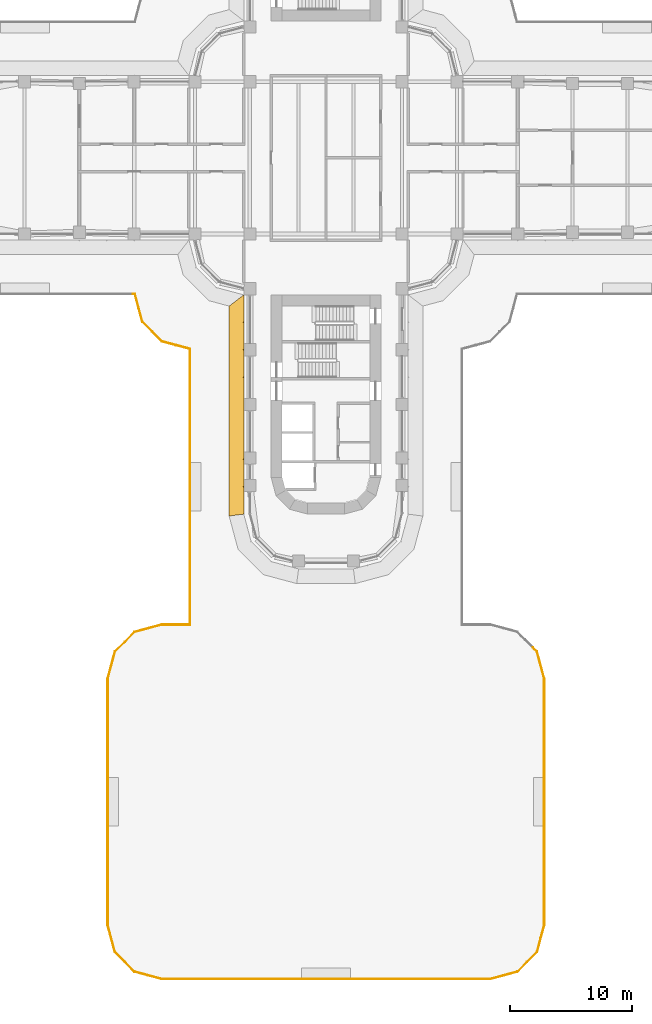
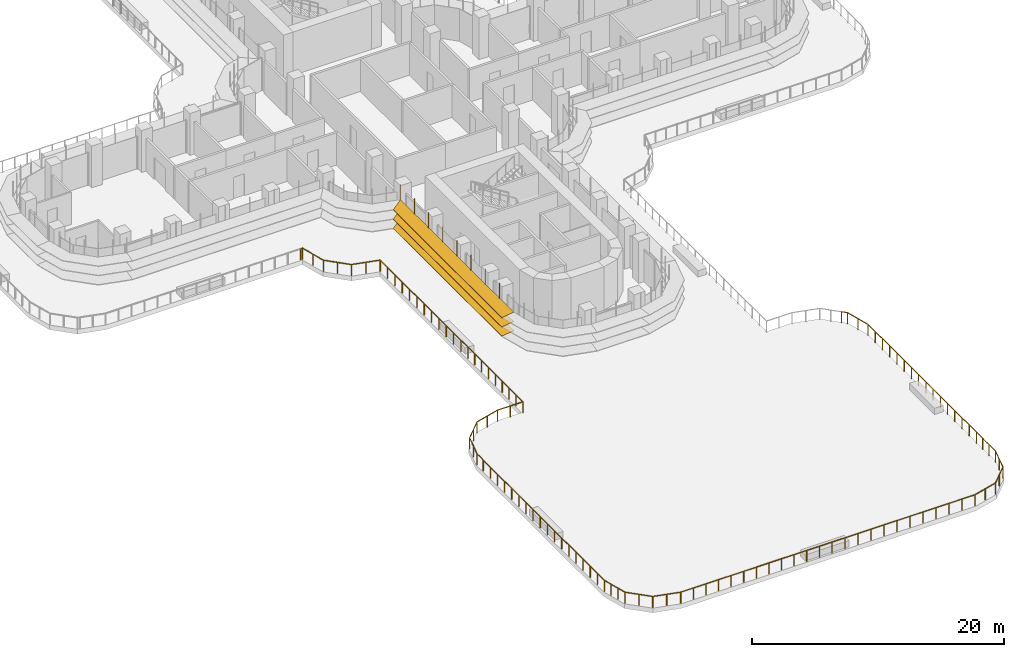
# One storey, part 20 of 26: 7 railings, 1 shading device.
"""IFC4 building model written with IfcOpenShell, lengths in metres."""

from ifc_helpers import new_model, si_unit, direction, frame, origin, origin_2d, place, context, subcontext, project, spatial, polyline, circle, outline, extrude, faceted_brep, source, transform, mapped, material, type_object, element, save


model = new_model("IFC4")

# Units and contexts
model_context = context("Model", 3, precision=1e-05, world=origin(), true_north=direction((0.0, 1.0)))
body_context = subcontext(model_context, "Body", "Model", "MODEL_VIEW")
ifc_project = project(units=[si_unit("LENGTHUNIT", "METRE"), si_unit("AREAUNIT", "SQUARE_METRE"), si_unit("VOLUMEUNIT", "CUBIC_METRE"), si_unit("PLANEANGLEUNIT", "RADIAN"), si_unit("MASSUNIT", "GRAM", prefix="KILO")], contexts=[model_context])

# Site, building, storey
site_placement = place(None, origin())
site = spatial("IfcSite", under=ifc_project, at=site_placement, CompositionType="ELEMENT")
building_placement = place(site_placement, origin())
building = spatial("IfcBuilding", under=site, at=building_placement, Name="Zarbagh Exchange Tower", CompositionType="ELEMENT")
storey_placement = place(building_placement, frame((0.0, 0.0, 27.0)))
storey = spatial("IfcBuildingStorey", under=building, at=storey_placement, Name="L05", CompositionType="ELEMENT", Elevation=27.0)

# Railings
ifc_material_1 = material(Name="Stainless steel and laminated glass", Category="steel")
railing_type = type_object("IfcRailingType", Name="Terrace guard, glass balustrade 1.1 m", PredefinedType="GUARDRAIL", material=ifc_material_1)
railing_1_placement = place(storey_placement, frame((17.919921875, -62.989501953125, 0.0)))
element("IfcRailing", 1, at=railing_1_placement, inside=storey, type_object=railing_type, Name="TG01 terrace guard", PredefinedType="GUARDRAIL", context=body_context, shape_type="SweptSolid", body=[
    extrude(circle(Radius=0.02490234375, at=origin_2d()), frame((0.0, 0.0, 1.0751953125), z_axis=(-0.258780353152, -0.965936192935, 0.0), x_axis=(0.965936192935, -0.258780353152, 0.0)), (0.0, 0.0, 1.0), 2.29736328125),
    extrude(circle(Radius=0.02490234375, at=origin_2d()), frame((-0.594482421875, -2.218994140625, 1.0751953125), z_axis=(-0.707106781187, -0.707106781187, 0.0), x_axis=(0.707106781187, -0.707106781187, 0.0)), (0.0, 0.0, 1.0), 2.28662109375),
    extrude(circle(Radius=0.02490234375, at=origin_2d()), frame((-2.21142578125, -3.8359375, 1.0751953125), z_axis=(-0.965936192935, -0.258780353152, 0.0), x_axis=(0.258780353152, -0.965936192935, 0.0)), (0.0, 0.0, 1.0), 2.29736328125),
    extrude(circle(Radius=0.02490234375, at=origin_2d()), frame((-4.430419921875, -4.430419921875, 1.0751953125), z_axis=(-1.0, 0.0, 0.0), x_axis=(0.0, -1.0, 0.0)), (0.0, 0.0, 1.0), 13.11865234375),
    extrude(circle(Radius=0.02490234375, at=origin_2d()), origin(), (0.0, 0.0, 1.0), 1.050048828125),
    extrude(circle(Radius=0.02490234375, at=origin_2d()), frame((-0.29736328125, -1.109375, 0.0)), (0.0, 0.0, 1.0), 1.050048828125),
    extrude(circle(Radius=0.02490234375, at=origin_2d()), frame((-0.594482421875, -2.218994140625, 0.0)), (0.0, 0.0, 1.0), 1.050048828125),
    extrude(circle(Radius=0.02490234375, at=origin_2d()), frame((-1.40283203125, -3.02734375, 0.0)), (0.0, 0.0, 1.0), 1.050048828125),
    extrude(circle(Radius=0.02490234375, at=origin_2d()), frame((-2.21142578125, -3.8359375, 0.0)), (0.0, 0.0, 1.0), 1.050048828125),
    extrude(circle(Radius=0.02490234375, at=origin_2d()), frame((-3.32080078125, -4.13330078125, 0.0)), (0.0, 0.0, 1.0), 1.050048828125),
    extrude(circle(Radius=0.02490234375, at=origin_2d()), frame((-4.430419921875, -4.430419921875, 0.0)), (0.0, 0.0, 1.0), 1.050048828125),
    extrude(circle(Radius=0.02490234375, at=origin_2d()), frame((-5.623046875, -4.430419921875, 0.0)), (0.0, 0.0, 1.0), 1.050048828125),
    extrude(circle(Radius=0.02490234375, at=origin_2d()), frame((-6.815673828125, -4.430419921875, 0.0)), (0.0, 0.0, 1.0), 1.050048828125),
    extrude(circle(Radius=0.02490234375, at=origin_2d()), frame((-8.00830078125, -4.430419921875, 0.0)), (0.0, 0.0, 1.0), 1.050048828125),
    extrude(circle(Radius=0.02490234375, at=origin_2d()), frame((-9.200927734375, -4.430419921875, 0.0)), (0.0, 0.0, 1.0), 1.050048828125),
    extrude(circle(Radius=0.02490234375, at=origin_2d()), frame((-10.3935546875, -4.430419921875, 0.0)), (0.0, 0.0, 1.0), 1.050048828125),
    extrude(circle(Radius=0.02490234375, at=origin_2d()), frame((-11.5859375, -4.430419921875, 0.0)), (0.0, 0.0, 1.0), 1.050048828125),
    extrude(circle(Radius=0.02490234375, at=origin_2d()), frame((-12.778564453125, -4.430419921875, 0.0)), (0.0, 0.0, 1.0), 1.050048828125),
    extrude(circle(Radius=0.02490234375, at=origin_2d()), frame((-13.97119140625, -4.430419921875, 0.0)), (0.0, 0.0, 1.0), 1.050048828125),
    extrude(circle(Radius=0.02490234375, at=origin_2d()), frame((-15.163818359375, -4.430419921875, 0.0)), (0.0, 0.0, 1.0), 1.050048828125),
    extrude(circle(Radius=0.02490234375, at=origin_2d()), frame((-16.3564453125, -4.430419921875, 0.0)), (0.0, 0.0, 1.0), 1.050048828125),
    extrude(circle(Radius=0.02490234375, at=origin_2d()), frame((-17.549072265625, -4.430419921875, 0.0)), (0.0, 0.0, 1.0), 1.050048828125),
])
railing_2_placement = place(storey_placement, frame((0.370849609375, -67.419921875, 0.0)))
element("IfcRailing", 2, at=railing_2_placement, inside=storey, type_object=railing_type, Name="TG01 terrace guard", PredefinedType="GUARDRAIL", context=body_context, shape_type="SweptSolid", body=[
    extrude(circle(Radius=0.02490234375, at=origin_2d()), frame((0.0, 0.0, 1.0751953125), z_axis=(-1.0, 0.0, 0.0), x_axis=(0.0, -1.0, 0.0)), (0.0, 0.0, 1.0), 13.8603515625),
    extrude(circle(Radius=0.02490234375, at=origin_2d()), frame((-13.8603515625, 0.0, 1.0751953125), z_axis=(-0.965936192935, 0.258780353152, 0.0), x_axis=(-0.258780353152, -0.965936192935, 0.0)), (0.0, 0.0, 1.0), 2.29736328125),
    extrude(circle(Radius=0.02490234375, at=origin_2d()), frame((-16.079345703125, 0.594482421875, 1.0751953125), z_axis=(-0.707106781187, 0.707106781187, 0.0), x_axis=(-0.707106781187, -0.707106781187, 0.0)), (0.0, 0.0, 1.0), 2.28662109375),
    extrude(circle(Radius=0.02490234375, at=origin_2d()), frame((-17.6962890625, 2.21142578125, 1.0751953125), z_axis=(-0.25878576617, 0.965934742738, 0.0), x_axis=(-0.965934742738, -0.25878576617, 0.0)), (0.0, 0.0, 1.0), 1.5556640625),
    extrude(circle(Radius=0.02490234375, at=origin_2d()), origin(), (0.0, 0.0, 1.0), 1.050048828125),
    extrude(circle(Radius=0.02490234375, at=origin_2d()), frame((-1.155029296875, 0.0, 0.0)), (0.0, 0.0, 1.0), 1.050048828125),
    extrude(circle(Radius=0.02490234375, at=origin_2d()), frame((-2.31005859375, 0.0, 0.0)), (0.0, 0.0, 1.0), 1.050048828125),
    extrude(circle(Radius=0.02490234375, at=origin_2d()), frame((-3.465087890625, 0.0, 0.0)), (0.0, 0.0, 1.0), 1.050048828125),
    extrude(circle(Radius=0.02490234375, at=origin_2d()), frame((-4.6201171875, 0.0, 0.0)), (0.0, 0.0, 1.0), 1.050048828125),
    extrude(circle(Radius=0.02490234375, at=origin_2d()), frame((-5.775146484375, 0.0, 0.0)), (0.0, 0.0, 1.0), 1.050048828125),
    extrude(circle(Radius=0.02490234375, at=origin_2d()), frame((-6.93017578125, 0.0, 0.0)), (0.0, 0.0, 1.0), 1.050048828125),
    extrude(circle(Radius=0.02490234375, at=origin_2d()), frame((-8.085205078125, 0.0, 0.0)), (0.0, 0.0, 1.0), 1.050048828125),
    extrude(circle(Radius=0.02490234375, at=origin_2d()), frame((-9.240234375, 0.0, 0.0)), (0.0, 0.0, 1.0), 1.050048828125),
    extrude(circle(Radius=0.02490234375, at=origin_2d()), frame((-10.395263671875, 0.0, 0.0)), (0.0, 0.0, 1.0), 1.050048828125),
    extrude(circle(Radius=0.02490234375, at=origin_2d()), frame((-11.55029296875, 0.0, 0.0)), (0.0, 0.0, 1.0), 1.050048828125),
    extrude(circle(Radius=0.02490234375, at=origin_2d()), frame((-12.705322265625, 0.0, 0.0)), (0.0, 0.0, 1.0), 1.050048828125),
    extrude(circle(Radius=0.02490234375, at=origin_2d()), frame((-13.8603515625, 0.0, 0.0)), (0.0, 0.0, 1.0), 1.050048828125),
    extrude(circle(Radius=0.02490234375, at=origin_2d()), frame((-14.9697265625, 0.29736328125, 0.0)), (0.0, 0.0, 1.0), 1.050048828125),
    extrude(circle(Radius=0.02490234375, at=origin_2d()), frame((-16.079345703125, 0.594482421875, 0.0)), (0.0, 0.0, 1.0), 1.050048828125),
    extrude(circle(Radius=0.02490234375, at=origin_2d()), frame((-16.8876953125, 1.40283203125, 0.0)), (0.0, 0.0, 1.0), 1.050048828125),
    extrude(circle(Radius=0.02490234375, at=origin_2d()), frame((-17.6962890625, 2.21142578125, 0.0)), (0.0, 0.0, 1.0), 1.050048828125),
    extrude(circle(Radius=0.02490234375, at=origin_2d()), frame((-17.8974609375, 2.962890625, 0.0)), (0.0, 0.0, 1.0), 1.050048828125),
    extrude(circle(Radius=0.02490234375, at=origin_2d()), frame((-18.098876953125, 3.714111328125, 0.0)), (0.0, 0.0, 1.0), 1.050048828125),
])
railing_3_placement = place(storey_placement, frame((-17.72802734375, -63.705810546875, 0.0)))
element("IfcRailing", 3, at=railing_3_placement, inside=storey, type_object=railing_type, Name="TG01 terrace guard", PredefinedType="GUARDRAIL", context=body_context, shape_type="SweptSolid", body=[
    extrude(circle(Radius=0.02490234375, at=origin_2d()), frame((0.0, 0.0, 1.0751953125), z_axis=(-0.258768997543, 0.965939235103, 0.0), x_axis=(-0.965939235103, -0.258768997543, 0.0)), (0.0, 0.0, 1.0), 0.741455078125),
    extrude(circle(Radius=0.02490234375, at=origin_2d()), frame((-0.19189453125, 0.71630859375, 1.0751953125), z_axis=(0.0, 1.0, 0.0), x_axis=(-1.0, 0.0, 0.0)), (0.0, 0.0, 1.0), 19.258544921875),
    extrude(circle(Radius=0.02490234375, at=origin_2d()), origin(), (0.0, 0.0, 1.0), 1.050048828125),
    extrude(circle(Radius=0.02490234375, at=origin_2d()), frame((-0.19189453125, 0.71630859375, 0.0)), (0.0, 0.0, 1.0), 1.050048828125),
    extrude(circle(Radius=0.02490234375, at=origin_2d()), frame((-0.19189453125, 1.84912109375, 0.0)), (0.0, 0.0, 1.0), 1.050048828125),
    extrude(circle(Radius=0.02490234375, at=origin_2d()), frame((-0.19189453125, 2.98193359375, 0.0)), (0.0, 0.0, 1.0), 1.050048828125),
    extrude(circle(Radius=0.02490234375, at=origin_2d()), frame((-0.19189453125, 4.114990234375, 0.0)), (0.0, 0.0, 1.0), 1.050048828125),
    extrude(circle(Radius=0.02490234375, at=origin_2d()), frame((-0.19189453125, 5.247802734375, 0.0)), (0.0, 0.0, 1.0), 1.050048828125),
    extrude(circle(Radius=0.02490234375, at=origin_2d()), frame((-0.19189453125, 6.380615234375, 0.0)), (0.0, 0.0, 1.0), 1.050048828125),
    extrude(circle(Radius=0.02490234375, at=origin_2d()), frame((-0.19189453125, 7.513427734375, 0.0)), (0.0, 0.0, 1.0), 1.050048828125),
    extrude(circle(Radius=0.02490234375, at=origin_2d()), frame((-0.19189453125, 8.646240234375, 0.0)), (0.0, 0.0, 1.0), 1.050048828125),
    extrude(circle(Radius=0.02490234375, at=origin_2d()), frame((-0.19189453125, 9.779052734375, 0.0)), (0.0, 0.0, 1.0), 1.050048828125),
    extrude(circle(Radius=0.02490234375, at=origin_2d()), frame((-0.19189453125, 10.912109375, 0.0)), (0.0, 0.0, 1.0), 1.050048828125),
    extrude(circle(Radius=0.02490234375, at=origin_2d()), frame((-0.19189453125, 12.044921875, 0.0)), (0.0, 0.0, 1.0), 1.050048828125),
    extrude(circle(Radius=0.02490234375, at=origin_2d()), frame((-0.19189453125, 13.177734375, 0.0)), (0.0, 0.0, 1.0), 1.050048828125),
    extrude(circle(Radius=0.02490234375, at=origin_2d()), frame((-0.19189453125, 14.310546875, 0.0)), (0.0, 0.0, 1.0), 1.050048828125),
    extrude(circle(Radius=0.02490234375, at=origin_2d()), frame((-0.19189453125, 15.443359375, 0.0)), (0.0, 0.0, 1.0), 1.050048828125),
    extrude(circle(Radius=0.02490234375, at=origin_2d()), frame((-0.19189453125, 16.576171875, 0.0)), (0.0, 0.0, 1.0), 1.050048828125),
    extrude(circle(Radius=0.02490234375, at=origin_2d()), frame((-0.19189453125, 17.709228515625, 0.0)), (0.0, 0.0, 1.0), 1.050048828125),
    extrude(circle(Radius=0.02490234375, at=origin_2d()), frame((-0.19189453125, 18.842041015625, 0.0)), (0.0, 0.0, 1.0), 1.050048828125),
    extrude(circle(Radius=0.02490234375, at=origin_2d()), frame((-0.19189453125, 19.974853515625, 0.0)), (0.0, 0.0, 1.0), 1.050048828125),
])
railing_4_placement = place(storey_placement, frame((-17.919921875, -43.73095703125, 0.0)))
element("IfcRailing", 4, at=railing_4_placement, inside=storey, type_object=railing_type, Name="TG01 terrace guard", PredefinedType="GUARDRAIL", context=body_context, shape_type="SweptSolid", body=[
    extrude(circle(Radius=0.02490234375, at=origin_2d()), frame((0.0, 0.0, 1.0751953125), z_axis=(0.0, 1.0, 0.0), x_axis=(-1.0, 0.0, 0.0)), (0.0, 0.0, 1.0), 0.970458984375),
    extrude(circle(Radius=0.02490234375, at=origin_2d()), frame((0.0, 0.970458984375, 1.0751953125), z_axis=(0.258780353152, 0.965936192935, 0.0), x_axis=(-0.965936192935, 0.258780353152, 0.0)), (0.0, 0.0, 1.0), 2.29736328125),
    extrude(circle(Radius=0.02490234375, at=origin_2d()), frame((0.594482421875, 3.189453125, 1.0751953125), z_axis=(0.707106781187, 0.707106781187, 0.0), x_axis=(-0.707106781187, 0.707106781187, 0.0)), (0.0, 0.0, 1.0), 2.28662109375),
    extrude(circle(Radius=0.02490234375, at=origin_2d()), frame((2.21142578125, 4.806396484375, 1.0751953125), z_axis=(0.965936192935, 0.258780353152, 0.0), x_axis=(-0.258780353152, 0.965936192935, 0.0)), (0.0, 0.0, 1.0), 2.29736328125),
    extrude(circle(Radius=0.02490234375, at=origin_2d()), frame((4.430419921875, 5.40087890625, 1.0751953125), z_axis=(1.0, 0.0, 0.0), x_axis=(0.0, 1.0, 0.0)), (0.0, 0.0, 1.0), 2.319580078125),
    extrude(circle(Radius=0.02490234375, at=origin_2d()), frame((6.75, 5.40087890625, 1.0751953125), z_axis=(0.0, 1.0, 0.0), x_axis=(-1.0, 0.0, 0.0)), (0.0, 0.0, 1.0), 9.828857421875),
    extrude(circle(Radius=0.02490234375, at=origin_2d()), origin(), (0.0, 0.0, 1.0), 1.050048828125),
    extrude(circle(Radius=0.02490234375, at=origin_2d()), frame((0.0, 0.970458984375, 0.0)), (0.0, 0.0, 1.0), 1.050048828125),
    extrude(circle(Radius=0.02490234375, at=origin_2d()), frame((0.29736328125, 2.080078125, 0.0)), (0.0, 0.0, 1.0), 1.050048828125),
    extrude(circle(Radius=0.02490234375, at=origin_2d()), frame((0.594482421875, 3.189453125, 0.0)), (0.0, 0.0, 1.0), 1.050048828125),
    extrude(circle(Radius=0.02490234375, at=origin_2d()), frame((1.40283203125, 3.998046875, 0.0)), (0.0, 0.0, 1.0), 1.050048828125),
    extrude(circle(Radius=0.02490234375, at=origin_2d()), frame((2.21142578125, 4.806396484375, 0.0)), (0.0, 0.0, 1.0), 1.050048828125),
    extrude(circle(Radius=0.02490234375, at=origin_2d()), frame((3.32080078125, 5.103515625, 0.0)), (0.0, 0.0, 1.0), 1.050048828125),
    extrude(circle(Radius=0.02490234375, at=origin_2d()), frame((4.430419921875, 5.40087890625, 0.0)), (0.0, 0.0, 1.0), 1.050048828125),
    extrude(circle(Radius=0.02490234375, at=origin_2d()), frame((5.59033203125, 5.40087890625, 0.0)), (0.0, 0.0, 1.0), 1.050048828125),
    extrude(circle(Radius=0.02490234375, at=origin_2d()), frame((6.75, 5.40087890625, 0.0)), (0.0, 0.0, 1.0), 1.050048828125),
    extrude(circle(Radius=0.02490234375, at=origin_2d()), frame((6.75, 6.492919921875, 0.0)), (0.0, 0.0, 1.0), 1.050048828125),
    extrude(circle(Radius=0.02490234375, at=origin_2d()), frame((6.75, 7.5849609375, 0.0)), (0.0, 0.0, 1.0), 1.050048828125),
    extrude(circle(Radius=0.02490234375, at=origin_2d()), frame((6.75, 8.67724609375, 0.0)), (0.0, 0.0, 1.0), 1.050048828125),
    extrude(circle(Radius=0.02490234375, at=origin_2d()), frame((6.75, 9.769287109375, 0.0)), (0.0, 0.0, 1.0), 1.050048828125),
    extrude(circle(Radius=0.02490234375, at=origin_2d()), frame((6.75, 10.861328125, 0.0)), (0.0, 0.0, 1.0), 1.050048828125),
    extrude(circle(Radius=0.02490234375, at=origin_2d()), frame((6.75, 11.953369140625, 0.0)), (0.0, 0.0, 1.0), 1.050048828125),
    extrude(circle(Radius=0.02490234375, at=origin_2d()), frame((6.75, 13.045654296875, 0.0)), (0.0, 0.0, 1.0), 1.050048828125),
    extrude(circle(Radius=0.02490234375, at=origin_2d()), frame((6.75, 14.1376953125, 0.0)), (0.0, 0.0, 1.0), 1.050048828125),
    extrude(circle(Radius=0.02490234375, at=origin_2d()), frame((6.75, 15.229736328125, 0.0)), (0.0, 0.0, 1.0), 1.050048828125),
])
railing_5_placement = place(storey_placement, frame((-11.169921875, -28.501220703125, 0.0)))
element("IfcRailing", 5, at=railing_5_placement, inside=storey, type_object=railing_type, Name="TG01 terrace guard", PredefinedType="GUARDRAIL", context=body_context, shape_type="SweptSolid", body=[
    extrude(circle(Radius=0.02490234375, at=origin_2d()), frame((0.0, 0.0, 1.0751953125), z_axis=(0.0, 1.0, 0.0), x_axis=(-1.0, 0.0, 0.0)), (0.0, 0.0, 1.0), 12.8125),
    extrude(circle(Radius=0.02490234375, at=origin_2d()), frame((0.0, 12.8125, 1.0751953125), z_axis=(-0.965919533457, 0.258842529128, 0.0), x_axis=(-0.258842529128, -0.965919533457, 0.0)), (0.0, 0.0, 1.0), 2.369384765625),
    extrude(circle(Radius=0.02490234375, at=origin_2d()), frame((-2.28857421875, 13.42578125, 1.0751953125), z_axis=(-0.707106781187, 0.707106781187, 0.0), x_axis=(-0.707106781187, -0.707106781187, 0.0)), (0.0, 0.0, 1.0), 2.28662109375),
    extrude(circle(Radius=0.02490234375, at=origin_2d()), frame((-3.905517578125, 15.042724609375, 1.0751953125), z_axis=(-0.258842529128, 0.965919533457, 0.0), x_axis=(-0.965919533457, -0.258842529128, 0.0)), (0.0, 0.0, 1.0), 2.369384765625),
    extrude(circle(Radius=0.02490234375, at=origin_2d()), frame((-4.518798828125, 17.331298828125, 1.0751953125), z_axis=(-1.0, 0.0, 0.0), x_axis=(0.0, -1.0, 0.0)), (0.0, 0.0, 1.0), 0.162109375),
    extrude(circle(Radius=0.02490234375, at=origin_2d()), origin(), (0.0, 0.0, 1.0), 1.050048828125),
    extrude(circle(Radius=0.02490234375, at=origin_2d()), frame((0.0, 1.164794921875, 0.0)), (0.0, 0.0, 1.0), 1.050048828125),
    extrude(circle(Radius=0.02490234375, at=origin_2d()), frame((0.0, 2.32958984375, 0.0)), (0.0, 0.0, 1.0), 1.050048828125),
    extrude(circle(Radius=0.02490234375, at=origin_2d()), frame((0.0, 3.494384765625, 0.0)), (0.0, 0.0, 1.0), 1.050048828125),
    extrude(circle(Radius=0.02490234375, at=origin_2d()), frame((0.0, 4.6591796875, 0.0)), (0.0, 0.0, 1.0), 1.050048828125),
    extrude(circle(Radius=0.02490234375, at=origin_2d()), frame((0.0, 5.823974609375, 0.0)), (0.0, 0.0, 1.0), 1.050048828125),
    extrude(circle(Radius=0.02490234375, at=origin_2d()), frame((0.0, 6.988525390625, 0.0)), (0.0, 0.0, 1.0), 1.050048828125),
    extrude(circle(Radius=0.02490234375, at=origin_2d()), frame((0.0, 8.1533203125, 0.0)), (0.0, 0.0, 1.0), 1.050048828125),
    extrude(circle(Radius=0.02490234375, at=origin_2d()), frame((0.0, 9.318115234375, 0.0)), (0.0, 0.0, 1.0), 1.050048828125),
    extrude(circle(Radius=0.02490234375, at=origin_2d()), frame((0.0, 10.48291015625, 0.0)), (0.0, 0.0, 1.0), 1.050048828125),
    extrude(circle(Radius=0.02490234375, at=origin_2d()), frame((0.0, 11.647705078125, 0.0)), (0.0, 0.0, 1.0), 1.050048828125),
    extrude(circle(Radius=0.02490234375, at=origin_2d()), frame((0.0, 12.8125, 0.0)), (0.0, 0.0, 1.0), 1.050048828125),
    extrude(circle(Radius=0.02490234375, at=origin_2d()), frame((-1.144287109375, 13.119140625, 0.0)), (0.0, 0.0, 1.0), 1.050048828125),
    extrude(circle(Radius=0.02490234375, at=origin_2d()), frame((-2.28857421875, 13.42578125, 0.0)), (0.0, 0.0, 1.0), 1.050048828125),
    extrude(circle(Radius=0.02490234375, at=origin_2d()), frame((-3.09716796875, 14.234375, 0.0)), (0.0, 0.0, 1.0), 1.050048828125),
    extrude(circle(Radius=0.02490234375, at=origin_2d()), frame((-3.905517578125, 15.042724609375, 0.0)), (0.0, 0.0, 1.0), 1.050048828125),
    extrude(circle(Radius=0.02490234375, at=origin_2d()), frame((-4.212158203125, 16.18701171875, 0.0)), (0.0, 0.0, 1.0), 1.050048828125),
    extrude(circle(Radius=0.02490234375, at=origin_2d()), frame((-4.518798828125, 17.331298828125, 0.0)), (0.0, 0.0, 1.0), 1.050048828125),
    extrude(circle(Radius=0.02490234375, at=origin_2d()), frame((-4.680908203125, 17.331298828125, 0.0)), (0.0, 0.0, 1.0), 1.050048828125),
])
railing_6_placement = place(storey_placement, frame((16.98046875, -40.196533203125, 0.0)))
element("IfcRailing", 6, at=railing_6_placement, inside=storey, type_object=railing_type, Name="TG01 terrace guard", PredefinedType="GUARDRAIL", context=body_context, shape_type="SweptSolid", body=[
    extrude(circle(Radius=0.02490234375, at=origin_2d()), frame((0.0, 0.0, 1.0751953125), z_axis=(0.707106781187, -0.707106781187, 0.0), x_axis=(0.707106781187, 0.707106781187, 0.0)), (0.0, 0.0, 1.0), 0.48779296875),
    extrude(circle(Radius=0.02490234375, at=origin_2d()), frame((0.344970703125, -0.344970703125, 1.0751953125), z_axis=(0.258780353152, -0.965936192935, 0.0), x_axis=(0.965936192935, 0.258780353152, 0.0)), (0.0, 0.0, 1.0), 2.29736328125),
    extrude(circle(Radius=0.02490234375, at=origin_2d()), frame((0.939453125, -2.56396484375, 1.0751953125), z_axis=(0.0, -1.0, 0.0), x_axis=(1.0, 0.0, 0.0)), (0.0, 0.0, 1.0), 17.21484375),
    extrude(circle(Radius=0.02490234375, at=origin_2d()), origin(), (0.0, 0.0, 1.0), 1.050048828125),
    extrude(circle(Radius=0.02490234375, at=origin_2d()), frame((0.344970703125, -0.344970703125, 0.0)), (0.0, 0.0, 1.0), 1.050048828125),
    extrude(circle(Radius=0.02490234375, at=origin_2d()), frame((0.64208984375, -1.45458984375, 0.0)), (0.0, 0.0, 1.0), 1.050048828125),
    extrude(circle(Radius=0.02490234375, at=origin_2d()), frame((0.939453125, -2.56396484375, 0.0)), (0.0, 0.0, 1.0), 1.050048828125),
    extrude(circle(Radius=0.02490234375, at=origin_2d()), frame((0.939453125, -3.711669921875, 0.0)), (0.0, 0.0, 1.0), 1.050048828125),
    extrude(circle(Radius=0.02490234375, at=origin_2d()), frame((0.939453125, -4.859375, 0.0)), (0.0, 0.0, 1.0), 1.050048828125),
    extrude(circle(Radius=0.02490234375, at=origin_2d()), frame((0.939453125, -6.0068359375, 0.0)), (0.0, 0.0, 1.0), 1.050048828125),
    extrude(circle(Radius=0.02490234375, at=origin_2d()), frame((0.939453125, -7.154541015625, 0.0)), (0.0, 0.0, 1.0), 1.050048828125),
    extrude(circle(Radius=0.02490234375, at=origin_2d()), frame((0.939453125, -8.30224609375, 0.0)), (0.0, 0.0, 1.0), 1.050048828125),
    extrude(circle(Radius=0.02490234375, at=origin_2d()), frame((0.939453125, -9.449951171875, 0.0)), (0.0, 0.0, 1.0), 1.050048828125),
    extrude(circle(Radius=0.02490234375, at=origin_2d()), frame((0.939453125, -10.59765625, 0.0)), (0.0, 0.0, 1.0), 1.050048828125),
    extrude(circle(Radius=0.02490234375, at=origin_2d()), frame((0.939453125, -11.7451171875, 0.0)), (0.0, 0.0, 1.0), 1.050048828125),
    extrude(circle(Radius=0.02490234375, at=origin_2d()), frame((0.939453125, -12.892822265625, 0.0)), (0.0, 0.0, 1.0), 1.050048828125),
    extrude(circle(Radius=0.02490234375, at=origin_2d()), frame((0.939453125, -14.04052734375, 0.0)), (0.0, 0.0, 1.0), 1.050048828125),
    extrude(circle(Radius=0.02490234375, at=origin_2d()), frame((0.939453125, -15.188232421875, 0.0)), (0.0, 0.0, 1.0), 1.050048828125),
    extrude(circle(Radius=0.02490234375, at=origin_2d()), frame((0.939453125, -16.3359375, 0.0)), (0.0, 0.0, 1.0), 1.050048828125),
    extrude(circle(Radius=0.02490234375, at=origin_2d()), frame((0.939453125, -17.4833984375, 0.0)), (0.0, 0.0, 1.0), 1.050048828125),
    extrude(circle(Radius=0.02490234375, at=origin_2d()), frame((0.939453125, -18.631103515625, 0.0)), (0.0, 0.0, 1.0), 1.050048828125),
    extrude(circle(Radius=0.02490234375, at=origin_2d()), frame((0.939453125, -19.77880859375, 0.0)), (0.0, 0.0, 1.0), 1.050048828125),
])
railing_7_placement = place(storey_placement, frame((17.919921875, -59.975341796875, 0.0)))
element("IfcRailing", 7, at=railing_7_placement, inside=storey, type_object=railing_type, Name="TG01 terrace guard", PredefinedType="GUARDRAIL", context=body_context, shape_type="SweptSolid", body=[
    extrude(circle(Radius=0.02490234375, at=origin_2d()), frame((0.0, 0.0, 1.0751953125), z_axis=(0.0, -1.0, 0.0), x_axis=(1.0, 0.0, 0.0)), (0.0, 0.0, 1.0), 3.01416015625),
    extrude(circle(Radius=0.02490234375, at=origin_2d()), origin(), (0.0, 0.0, 1.0), 1.050048828125),
    extrude(circle(Radius=0.02490234375, at=origin_2d()), frame((0.0, -1.004638671875, 0.0)), (0.0, 0.0, 1.0), 1.050048828125),
    extrude(circle(Radius=0.02490234375, at=origin_2d()), frame((0.0, -2.009521484375, 0.0)), (0.0, 0.0, 1.0), 1.050048828125),
    extrude(circle(Radius=0.02490234375, at=origin_2d()), frame((0.0, -3.01416015625, 0.0)), (0.0, 0.0, 1.0), 1.050048828125),
])

# Shading device
ifc_material_2 = material(Name="Anodised aluminium blades and brackets", Category="aluminium")
shading_device_type = type_object("IfcShadingDeviceType", Name="SUNSHADE louvre band, 0 degree blades", PredefinedType="JALOUSIE", material=ifc_material_2)
shared_shape_1 = source(origin(), body_context, "Body", "Brep", [
    faceted_brep([(0.0, 0.0, 0.0), (0.0, 0.0, -0.0400390625), (0.9208984375, -1.199951171875, -0.0400390625), (0.9208984375, -1.199951171875, 0.0), (18.157958984375, -1.199951171875, 0.0), (18.157958984375, -1.199951171875, -0.0400390625), (18.0, 0.0, -0.0400390625), (18.0, 0.0, 0.0)], [[[0, 1, 2, 3]], [[4, 5, 6, 7]], [[0, 7, 6, 1]], [[1, 6, 5, 2]], [[2, 5, 4, 3]], [[3, 4, 7, 0]]]),
])
shared_shape_2 = source(origin(), body_context, "Body", "SweptSolid", [
    extrude(outline(polyline([(0.0, -0.012451171875), (0.06005859375, -0.012451171875), (0.06005859375, 0.012451171875), (0.0, 0.012451171875), (0.0, -0.012451171875)])), origin(), (0.0, 0.0, 1.0), 3.35009765625),
])
shading_device_placement = place(storey_placement, origin())
element("IfcShadingDevice", 8, at=shading_device_placement, inside=storey, type_object=shading_device_type, Name="SS22 sunshade band", PredefinedType="JALOUSIE", context=body_context, shape_type="MappedRepresentation", body=[
    mapped(shared_shape_1, transform((-6.75, -11.25, 2.699951171875), x_axis=(0.0, -1.0, 0.0), y_axis=(1.0, 0.0, 0.0), z_axis=(0.0, 0.0, 1.0))),
    mapped(shared_shape_1, transform((-6.75, -11.25, 1.800048828125), x_axis=(0.0, -1.0, 0.0), y_axis=(1.0, 0.0, 0.0), z_axis=(0.0, 0.0, 1.0))),
    mapped(shared_shape_1, transform((-6.75, -11.25, 0.89990234375), x_axis=(0.0, -1.0, 0.0), y_axis=(1.0, 0.0, 0.0), z_axis=(0.0, 0.0, 1.0))),
    mapped(shared_shape_2, transform((-6.75, -11.25, 0.830078125), x_axis=(-0.793355287, -0.608758892, 0.0), y_axis=(0.608758892, -0.793355287, 0.0), z_axis=(0.0, 0.0, 1.0))),
    mapped(shared_shape_2, transform((-6.75, -13.5, 0.830078125), x_axis=(-1.0, 0.0, 0.0), y_axis=(0.0, -1.0, 0.0), z_axis=(0.0, 0.0, 1.0))),
    mapped(shared_shape_2, transform((-6.75, -15.75, 0.830078125), x_axis=(-1.0, 0.0, 0.0), y_axis=(0.0, -1.0, 0.0), z_axis=(0.0, 0.0, 1.0))),
    mapped(shared_shape_2, transform((-6.75, -18.0, 0.830078125), x_axis=(-1.0, 0.0, 0.0), y_axis=(0.0, -1.0, 0.0), z_axis=(0.0, 0.0, 1.0))),
    mapped(shared_shape_2, transform((-6.75, -20.25, 0.830078125), x_axis=(-1.0, 0.0, 0.0), y_axis=(0.0, -1.0, 0.0), z_axis=(0.0, 0.0, 1.0))),
    mapped(shared_shape_2, transform((-6.75, -22.5, 0.830078125), x_axis=(-1.0, 0.0, 0.0), y_axis=(0.0, -1.0, 0.0), z_axis=(0.0, 0.0, 1.0))),
    mapped(shared_shape_2, transform((-6.75, -24.75, 0.830078125), x_axis=(-1.0, 0.0, 0.0), y_axis=(0.0, -1.0, 0.0), z_axis=(0.0, 0.0, 1.0))),
    mapped(shared_shape_2, transform((-6.75, -27.0, 0.830078125), x_axis=(-1.0, 0.0, 0.0), y_axis=(0.0, -1.0, 0.0), z_axis=(0.0, 0.0, 1.0))),
])

save(model, "model.ifc")
